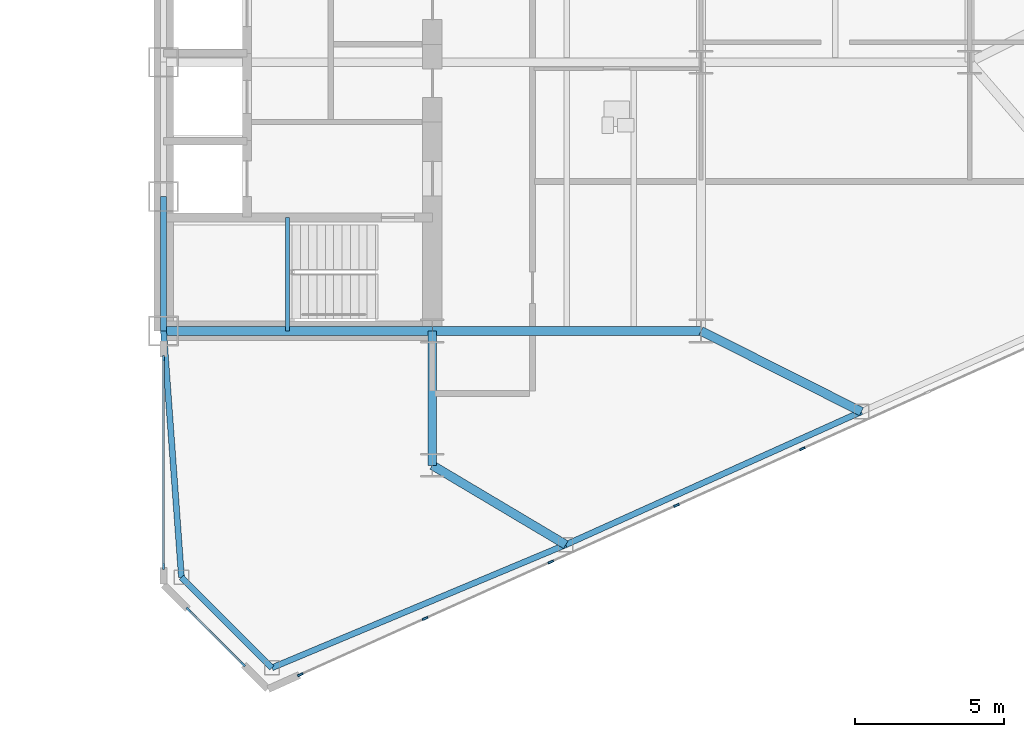
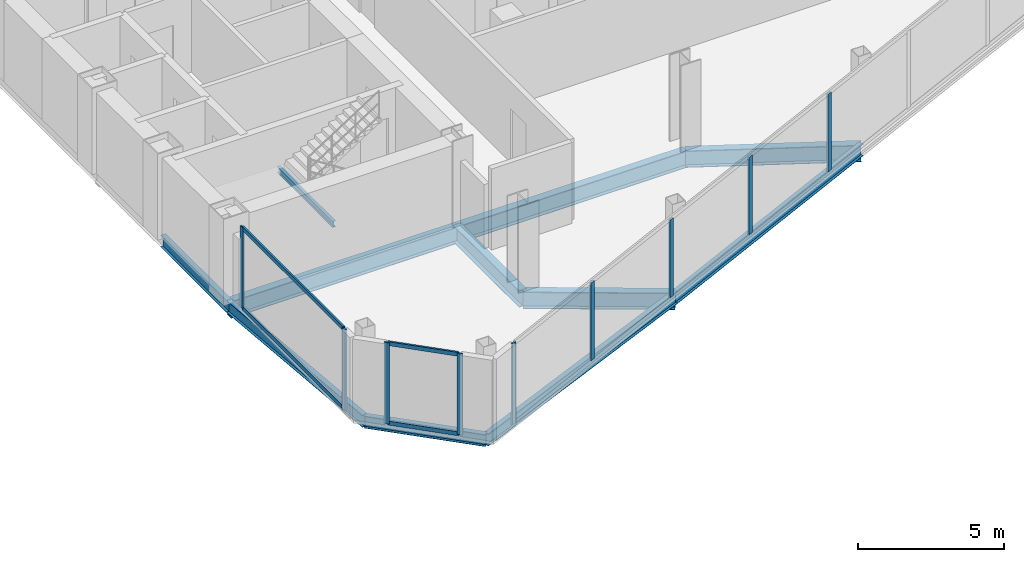
# One storey, part 10 of 27: 13 members, 11 beams, 3 elements without a shape of their own.
"""IFC4 building model written with IfcOpenShell, lengths in metres."""

from ifc_helpers import new_model, si_unit, direction, frame, origin, origin_2d, place, context, subcontext, project, spatial, rectangle, i_section, extrude, source, transform, mapped, material, layer, layer_set, material_profile, profile_set, type_object, type_shapes, element, aggregate, save


model = new_model("IFC4")

# Units and contexts
model_context = context("Model", 3, precision=1e-05, world=origin(), true_north=direction((0.0, 1.0)))
body_context = subcontext(model_context, "Body", "Model", "MODEL_VIEW")
ifc_project = project(units=[si_unit("LENGTHUNIT", "METRE"), si_unit("AREAUNIT", "SQUARE_METRE"), si_unit("VOLUMEUNIT", "CUBIC_METRE"), si_unit("PLANEANGLEUNIT", "RADIAN"), si_unit("MASSUNIT", "GRAM", prefix="KILO")], contexts=[model_context])

# Site, building, storey
site_placement = place(None, origin())
site = spatial("IfcSite", under=ifc_project, at=site_placement, CompositionType="ELEMENT")
building_placement = place(site_placement, origin())
building = spatial("IfcBuilding", under=site, at=building_placement, Name="Seokmaru Belvedere", CompositionType="ELEMENT")
storey_placement = place(building_placement, frame((0.0, 0.0, 69.300048828125)))
storey = spatial("IfcBuildingStorey", under=building, at=storey_placement, Name="L18", CompositionType="ELEMENT", Elevation=69.300048828125)

# Beams
ifc_material_1 = material(Name="Steel SM355 (355 MPa)", Category="steel")
ifc_material_profile_1 = material_profile(ifc_material_1, i_section(OverallWidth=0.199951171875, OverallDepth=0.5, WebThickness=0.010009765625, FlangeThickness=0.01611328125, at=origin_2d()), Name="H-500x200x10x16")
ifc_profile_set_1 = profile_set([ifc_material_profile_1], Name="Steel SM355 (355 MPa)")
beam_type_1 = type_object("IfcBeamType", Name="Perimeter Spandrel Beam H-500", PredefinedType="SPANDREL", material=ifc_profile_set_1)
shared_shape_1 = source(origin(), body_context, "Body", "SweptSolid", [
    extrude(i_section(OverallWidth=0.199951171875, OverallDepth=0.5, WebThickness=0.010009765625, FlangeThickness=0.01611328125, at=origin_2d()), origin(), (0.0, 0.0, 1.0), 4.5),
])
beam_1_placement = place(storey_placement, frame((27.5, -13.5, -0.469970703125), z_axis=(0.0, 1.0, 0.0), x_axis=(-1.0, 0.0, 0.0)))
element("IfcBeam", 1, at=beam_1_placement, inside=storey, type_object=beam_type_1, Name="L18 E Portal Spine Spandrel 1", PredefinedType="SPANDREL", context=body_context, shape_type="MappedRepresentation", body=[
    mapped(shared_shape_1, transform((0.0, 0.0, 0.0), scale=1.0)),
])
ifc_material_profile_2 = material_profile(ifc_material_1, i_section(OverallWidth=0.300048828125, OverallDepth=0.699951171875, WebThickness=0.012939453125, FlangeThickness=0.02392578125, at=origin_2d()), Name="H-700x300x13x24")
ifc_profile_set_2 = profile_set([ifc_material_profile_2], Name="Steel SM355 (355 MPa)")
beam_type_2 = type_object("IfcBeamType", Name="Primary Floor Girder H-700", PredefinedType="BEAM", material=ifc_profile_set_2)
shared_shape_2 = source(origin(), body_context, "Body", "SweptSolid", [
    extrude(i_section(OverallWidth=0.300048828125, OverallDepth=0.699951171875, WebThickness=0.012939453125, FlangeThickness=0.02392578125, at=origin_2d()), origin(), (0.0, 0.0, 1.0), 4.5),
])
beam_2_placement = place(storey_placement, frame((36.5, -18.0, -0.570068359375), z_axis=(0.0, 1.0, 0.0), x_axis=(-1.0, 0.0, 0.0)))
element("IfcBeam", 2, at=beam_2_placement, inside=storey, type_object=beam_type_2, Name="L18 E Core Shoulder Girder S", PredefinedType="BEAM", context=body_context, shape_type="MappedRepresentation", body=[
    mapped(shared_shape_2, transform((0.0, 0.0, 0.0), scale=1.0)),
])
shared_shape_3 = source(origin(), body_context, "Body", "SweptSolid", [
    extrude(i_section(OverallWidth=0.300048828125, OverallDepth=0.699951171875, WebThickness=0.012939453125, FlangeThickness=0.02392578125, at=origin_2d()), origin(), (0.0, 0.0, 1.0), 9.0),
])
for number, where, z_axis, x_axis, name in (
    (3, (27.5, -13.5, -0.570068359375), (1.0, 0.0, 0.0), (0.0, 1.0, 0.0), "L18 E Core Tie Girder 1"),
    (4, (36.5, -13.5, -0.570068359375), (1.0, 0.0, 0.0), (0.0, 1.0, 0.0), "L18 E Wing Primary Girder 1"),
):
    element("IfcBeam", number, at=place(storey_placement, frame(where, z_axis=z_axis, x_axis=x_axis)), inside=storey, type_object=beam_type_2, Name=name, PredefinedType="BEAM", context=body_context, shape_type="MappedRepresentation", body=[
        mapped(shared_shape_3, transform((0.0, 0.0, 0.0), scale=1.0)),
    ])
shared_shape_4 = source(origin(), body_context, "Body", "SweptSolid", [
    extrude(i_section(OverallWidth=0.199951171875, OverallDepth=0.5, WebThickness=0.010009765625, FlangeThickness=0.01611328125, at=origin_2d()), origin(), (0.0, 0.0, 1.0), 10.66943359375),
])
beam_3_placement = place(storey_placement, frame((31.13134765625, -24.782958984375, -0.469970703125), z_axis=(0.922375393128, 0.386294750355, 0.0), x_axis=(-0.386294750355, 0.922375393128, 0.0)))
element("IfcBeam", 5, at=beam_3_placement, inside=storey, type_object=beam_type_1, Name="L18 E Faceted Flank Spandrel S-1", PredefinedType="SPANDREL", context=body_context, shape_type="MappedRepresentation", body=[
    mapped(shared_shape_4, transform((0.0, 0.0, 0.0), scale=1.0)),
])
shared_shape_5 = source(origin(), body_context, "Body", "SweptSolid", [
    extrude(i_section(OverallWidth=0.199951171875, OverallDepth=0.5, WebThickness=0.010009765625, FlangeThickness=0.01611328125, at=origin_2d()), origin(), (0.0, 0.0, 1.0), 10.85888671875),
])
beam_4_placement = place(storey_placement, frame((40.97265625, -20.661376953125, -0.469970703125), z_axis=(0.911921505175, 0.410364677329, 0.0), x_axis=(-0.410364677329, 0.911921505175, 0.0)))
element("IfcBeam", 6, at=beam_4_placement, inside=storey, type_object=beam_type_1, Name="L18 E Faceted Flank Spandrel S-2", PredefinedType="SPANDREL", context=body_context, shape_type="MappedRepresentation", body=[
    mapped(shared_shape_5, transform((0.0, 0.0, 0.0), scale=1.0)),
])
shared_shape_6 = source(origin(), body_context, "Body", "SweptSolid", [
    extrude(i_section(OverallWidth=0.199951171875, OverallDepth=0.5, WebThickness=0.010009765625, FlangeThickness=0.01611328125, at=origin_2d()), origin(), (0.0, 0.0, 1.0), 4.287109375),
])
beam_5_placement = place(storey_placement, frame((31.13134765625, -24.782958984375, -0.469970703125), z_axis=(-0.707078306132, 0.707135255094, 0.0), x_axis=(-0.707135255094, -0.707078306132, 0.0)))
element("IfcBeam", 7, at=beam_5_placement, inside=storey, type_object=beam_type_1, Name="L18 E Shoulder Chamfer Spandrel S", PredefinedType="SPANDREL", context=body_context, shape_type="MappedRepresentation", body=[
    mapped(shared_shape_6, transform((0.0, 0.0, 0.0), scale=1.0)),
])
shared_shape_7 = source(origin(), body_context, "Body", "SweptSolid", [
    extrude(i_section(OverallWidth=0.199951171875, OverallDepth=0.5, WebThickness=0.010009765625, FlangeThickness=0.01611328125, at=origin_2d()), origin(), (0.0, 0.0, 1.0), 8.273193359375),
])
type_shapes(beam_type_1, [shared_shape_1, shared_shape_4, shared_shape_5, shared_shape_6, shared_shape_7])
beam_6_placement = place(storey_placement, frame((28.10009765625, -21.75146484375, -0.469970703125), z_axis=(-0.072534628348, 0.99736589459, 0.0), x_axis=(-0.99736589459, -0.072534628348, 0.0)))
element("IfcBeam", 8, at=beam_6_placement, inside=storey, type_object=beam_type_1, Name="L18 E Shoulder Spine Spandrel S", PredefinedType="SPANDREL", context=body_context, shape_type="MappedRepresentation", body=[
    mapped(shared_shape_7, transform((0.0, 0.0, 0.0), scale=1.0)),
])
shared_shape_8 = source(origin(), body_context, "Body", "SweptSolid", [
    extrude(i_section(OverallWidth=0.300048828125, OverallDepth=0.699951171875, WebThickness=0.012939453125, FlangeThickness=0.02392578125, at=origin_2d()), origin(), (0.0, 0.0, 1.0), 5.20458984375),
])
beam_7_placement = place(storey_placement, frame((40.97265625, -20.661376953125, -0.570068359375), z_axis=(-0.859370434188, 0.511353553662, 0.0), x_axis=(-0.511353553662, -0.859370434188, 0.0)))
element("IfcBeam", 9, at=beam_7_placement, inside=storey, type_object=beam_type_2, Name="L18 E Flank Radial Floor Girder S-1", PredefinedType="BEAM", context=body_context, shape_type="MappedRepresentation", body=[
    mapped(shared_shape_8, transform((0.0, 0.0, 0.0), scale=1.0)),
])
shared_shape_9 = source(origin(), body_context, "Body", "SweptSolid", [
    extrude(i_section(OverallWidth=0.300048828125, OverallDepth=0.699951171875, WebThickness=0.012939453125, FlangeThickness=0.02392578125, at=origin_2d()), origin(), (0.0, 0.0, 1.0), 6.017333984375),
])
type_shapes(beam_type_2, [shared_shape_2, shared_shape_3, shared_shape_8, shared_shape_9])
beam_8_placement = place(storey_placement, frame((50.875, -16.205322265625, -0.570068359375), z_axis=(-0.893239341975, 0.449581447512, 0.0), x_axis=(-0.449581447512, -0.893239341975, 0.0)))
element("IfcBeam", 10, at=beam_8_placement, inside=storey, type_object=beam_type_2, Name="L18 E Flank Radial Floor Girder S-2", PredefinedType="BEAM", context=body_context, shape_type="MappedRepresentation", body=[
    mapped(shared_shape_9, transform((0.0, 0.0, 0.0), scale=1.0)),
])

# Curtain wall, member
ifc_material_2 = material(Name="Bronze Triple Insulating Glass", Category="glass")
ifc_layer = layer(ifc_material_2, 0.195068359375)
ifc_layer_set = layer_set([ifc_layer], Name="Bronze Triple Insulating Glass")
curtain_wall_type = type_object("IfcCurtainWallType", Name="Lower-Mid Tapered Curtain Wall System CW-3", PredefinedType="NOTDEFINED", material=ifc_layer_set)
curtain_wall_1_placement = place(storey_placement, origin())
curtain_wall_1 = element("IfcCurtainWall", 11, at=curtain_wall_1_placement, inside=storey, type_object=curtain_wall_type, Name="L18 Curtain Wall EF1", PredefinedType="NOTDEFINED")
ifc_material_3 = material(Name="Anodised Bronze Aluminium", Category="aluminium")
ifc_material_profile_3 = material_profile(ifc_material_3, rectangle(XDim=0.070068359375, YDim=0.195068359375, at=origin_2d()), Name="CW-M-70x195")
ifc_profile_set_3 = profile_set([ifc_material_profile_3], Name="Anodised Bronze Aluminium")
member_type_1 = type_object("IfcMemberType", Name="Bronze Unitised Mullion 70x195", PredefinedType="MULLION", material=ifc_profile_set_3)
shared_shape_10 = source(origin(), body_context, "Body", "SweptSolid", [
    extrude(rectangle(XDim=0.070068359375, YDim=0.195068359375, at=origin_2d()), origin(), (0.0, 0.0, 1.0), 3.3798828125),
])
member_1_placement = place(storey_placement, frame((32.08056640625, -25.013671875, 0.0), z_axis=(0.0, 0.0, 1.0), x_axis=(-0.41036554765, 0.91192111353, 0.0)))
member_1 = element("IfcMember", 12, at=member_1_placement, type_object=member_type_1, Name="CW:L18:EF1 Mullion 1", PredefinedType="MULLION", context=body_context, shape_type="MappedRepresentation", body=[
    mapped(shared_shape_10, transform((0.0, 0.0, 0.0), scale=1.0)),
])

# Curtain wall, members
curtain_wall_2_placement = place(storey_placement, origin())
curtain_wall_2 = element("IfcCurtainWall", 13, at=curtain_wall_2_placement, inside=storey, type_object=curtain_wall_type, Name="L18 Curtain Wall ESP_1", PredefinedType="NOTDEFINED")
member_2_placement = place(storey_placement, frame((27.5, -14.4150390625, 0.0), z_axis=(0.0, 0.0, 1.0), x_axis=(1.0, 0.0, 0.0)))
member_2 = element("IfcMember", 14, at=member_2_placement, type_object=member_type_1, Name="CW:L18:ESP_1 Mullion 1", PredefinedType="MULLION", context=body_context, shape_type="MappedRepresentation", body=[
    mapped(shared_shape_10, transform((0.0, 0.0, 0.0), scale=1.0)),
])
member_3_placement = place(storey_placement, frame((27.5, -21.39501953125, 0.0), z_axis=(0.0, 0.0, 1.0), x_axis=(1.0, 0.0, 0.0)))
member_3 = element("IfcMember", 15, at=member_3_placement, type_object=member_type_1, Name="CW:L18:ESP_1 Mullion 2", PredefinedType="MULLION", context=body_context, shape_type="MappedRepresentation", body=[
    mapped(shared_shape_10, transform((0.0, 0.0, 0.0), scale=1.0)),
])

curtain_wall_3_placement = place(storey_placement, origin())
curtain_wall_3 = element("IfcCurtainWall", 16, at=curtain_wall_3_placement, inside=storey, type_object=curtain_wall_type, Name="L18 Curtain Wall EF6", PredefinedType="NOTDEFINED")
member_4_placement = place(storey_placement, frame((28.337890625, -22.837890625, 0.0), z_axis=(0.0, 0.0, 1.0), x_axis=(0.707106781187, 0.707106781187, 0.0)))
member_4 = element("IfcMember", 17, at=member_4_placement, type_object=member_type_1, Name="CW:L18:EF6 Mullion 1", PredefinedType="MULLION", context=body_context, shape_type="MappedRepresentation", body=[
    mapped(shared_shape_10, transform((0.0, 0.0, 0.0), scale=1.0)),
])
member_5_placement = place(storey_placement, frame((30.162109375, -24.662109375, 0.0), z_axis=(0.0, 0.0, 1.0), x_axis=(0.707106781187, 0.707106781187, 0.0)))
member_5 = element("IfcMember", 18, at=member_5_placement, type_object=member_type_1, Name="CW:L18:EF6 Mullion 2", PredefinedType="MULLION", context=body_context, shape_type="MappedRepresentation", body=[
    mapped(shared_shape_10, transform((0.0, 0.0, 0.0), scale=1.0)),
])

# Member
ifc_material_profile_4 = material_profile(ifc_material_3, rectangle(XDim=0.070068359375, YDim=0.1650390625, at=origin_2d()), Name="CW-T-70x165")
ifc_profile_set_4 = profile_set([ifc_material_profile_4], Name="Anodised Bronze Aluminium")
member_type_2 = type_object("IfcMemberType", Name="Bronze Unitised Transom 70x165", PredefinedType="USERDEFINED", material=ifc_profile_set_4)
shared_shape_11 = source(origin(), body_context, "Body", "SweptSolid", [
    extrude(rectangle(XDim=0.070068359375, YDim=0.1650390625, at=origin_2d()), origin(), (0.0, 0.0, 1.0), 6.91015625),
])
member_6_placement = place(storey_placement, frame((27.5, -14.449951171875, 0.034912109375), z_axis=(0.0, -1.0, 0.0), x_axis=(1.0, 0.0, 0.0)))
member_6 = element("IfcMember", 19, at=member_6_placement, type_object=member_type_2, Name="CW:L18:ESP_1 Continuous Transom 1", ObjectType="TRANSOM", PredefinedType="USERDEFINED", context=body_context, shape_type="MappedRepresentation", body=[
    mapped(shared_shape_11, transform((0.0, 0.0, 0.0), scale=1.0)),
])

member_7_placement = place(storey_placement, frame((27.5, -14.449951171875, 3.344970703125), z_axis=(0.0, -1.0, 0.0), x_axis=(1.0, 0.0, 0.0)))
member_7 = element("IfcMember", 20, at=member_7_placement, type_object=member_type_2, Name="CW:L18:ESP_1 Continuous Transom 2", ObjectType="TRANSOM", PredefinedType="USERDEFINED", context=body_context, shape_type="MappedRepresentation", body=[
    mapped(shared_shape_11, transform((0.0, 0.0, 0.0), scale=1.0)),
])

aggregate(curtain_wall_2, [member_2, member_3, member_6, member_7])

shared_shape_12 = source(origin(), body_context, "Body", "SweptSolid", [
    extrude(rectangle(XDim=0.070068359375, YDim=0.1650390625, at=origin_2d()), origin(), (0.0, 0.0, 1.0), 2.509521484375),
])
type_shapes(member_type_2, [shared_shape_11, shared_shape_12])
member_8_placement = place(storey_placement, frame((28.36279296875, -22.86279296875, 0.034912109375), z_axis=(0.707106781187, -0.707106781187, 0.0), x_axis=(0.707106781187, 0.707106781187, 0.0)))
member_8 = element("IfcMember", 21, at=member_8_placement, type_object=member_type_2, Name="CW:L18:EF6 Continuous Transom 1", ObjectType="TRANSOM", PredefinedType="USERDEFINED", context=body_context, shape_type="MappedRepresentation", body=[
    mapped(shared_shape_12, transform((0.0, 0.0, 0.0), scale=1.0)),
])

member_9_placement = place(storey_placement, frame((28.36279296875, -22.86279296875, 3.344970703125), z_axis=(0.707106781187, -0.707106781187, 0.0), x_axis=(0.707106781187, 0.707106781187, 0.0)))
member_9 = element("IfcMember", 22, at=member_9_placement, type_object=member_type_2, Name="CW:L18:EF6 Continuous Transom 2", ObjectType="TRANSOM", PredefinedType="USERDEFINED", context=body_context, shape_type="MappedRepresentation", body=[
    mapped(shared_shape_12, transform((0.0, 0.0, 0.0), scale=1.0)),
])

aggregate(curtain_wall_3, [member_4, member_5, member_8, member_9])

shared_shape_13 = source(origin(), body_context, "Body", "SweptSolid", [
    extrude(rectangle(XDim=0.070068359375, YDim=0.195068359375, at=origin_2d()), origin(), (0.0, 0.0, 1.0), 3.239990234375),
])
type_shapes(member_type_1, [shared_shape_10, shared_shape_13])
member_10_placement = place(storey_placement, frame((36.260009765625, -23.133056640625, 0.070068359375), z_axis=(0.0, 0.0, 1.0), x_axis=(-0.41036554765, 0.91192111353, 0.0)))
member_10 = element("IfcMember", 23, at=member_10_placement, type_object=member_type_1, Name="CW:L18:EF1 Mullion 2", PredefinedType="MULLION", context=body_context, shape_type="MappedRepresentation", body=[
    mapped(shared_shape_13, transform((0.0, 0.0, 0.0), scale=1.0)),
])

member_11_placement = place(storey_placement, frame((40.471435546875, -21.23779296875, 0.070068359375), z_axis=(0.0, 0.0, 1.0), x_axis=(-0.41036554765, 0.91192111353, 0.0)))
member_11 = element("IfcMember", 24, at=member_11_placement, type_object=member_type_1, Name="CW:L18:EF1 Mullion 3", PredefinedType="MULLION", context=body_context, shape_type="MappedRepresentation", body=[
    mapped(shared_shape_13, transform((0.0, 0.0, 0.0), scale=1.0)),
])

member_12_placement = place(storey_placement, frame((44.682861328125, -19.3427734375, 0.070068359375), z_axis=(0.0, 0.0, 1.0), x_axis=(-0.41036554765, 0.91192111353, 0.0)))
member_12 = element("IfcMember", 25, at=member_12_placement, type_object=member_type_1, Name="CW:L18:EF1 Mullion 4", PredefinedType="MULLION", context=body_context, shape_type="MappedRepresentation", body=[
    mapped(shared_shape_13, transform((0.0, 0.0, 0.0), scale=1.0)),
])

member_13_placement = place(storey_placement, frame((48.894287109375, -17.447509765625, 0.070068359375), z_axis=(0.0, 0.0, 1.0), x_axis=(-0.41036554765, 0.91192111353, 0.0)))
member_13 = element("IfcMember", 26, at=member_13_placement, type_object=member_type_1, Name="CW:L18:EF1 Mullion 5", PredefinedType="MULLION", context=body_context, shape_type="MappedRepresentation", body=[
    mapped(shared_shape_13, transform((0.0, 0.0, 0.0), scale=1.0)),
])

aggregate(curtain_wall_1, [member_1, member_10, member_11, member_12, member_13])

# Beam
ifc_material_profile_5 = material_profile(ifc_material_1, i_section(OverallWidth=0.125, OverallDepth=0.25, WebThickness=0.006103515625, FlangeThickness=0.009033203125, at=origin_2d()), Name="H-250x125x6x9")
ifc_profile_set_5 = profile_set([ifc_material_profile_5], Name="Steel SM355 (355 MPa)")
beam_type_3 = type_object("IfcBeamType", Name="Stair Mid-Landing Support Beam H-250", PredefinedType="JOIST", material=ifc_profile_set_5)
shared_shape_14 = source(origin(), body_context, "Body", "SweptSolid", [
    extrude(i_section(OverallWidth=0.125, OverallDepth=0.25, WebThickness=0.006103515625, FlangeThickness=0.009033203125, at=origin_2d()), origin(), (0.0, 0.0, 1.0), 3.800048828125),
])
type_shapes(beam_type_3, [shared_shape_14])
beam_9_placement = place(storey_placement, frame((31.64990234375, -13.5, 1.474853515625), z_axis=(0.0, 1.0, 0.0), x_axis=(-1.0, 0.0, 0.0)))
element("IfcBeam", 27, at=beam_9_placement, inside=storey, type_object=beam_type_3, Name="L18 Stair ST-E1 Mid-Landing Support Beam 1", PredefinedType="JOIST", context=body_context, shape_type="MappedRepresentation", body=[
    mapped(shared_shape_14, transform((0.0, 0.0, 0.0), scale=1.0)),
])

save(model, "model.ifc")
